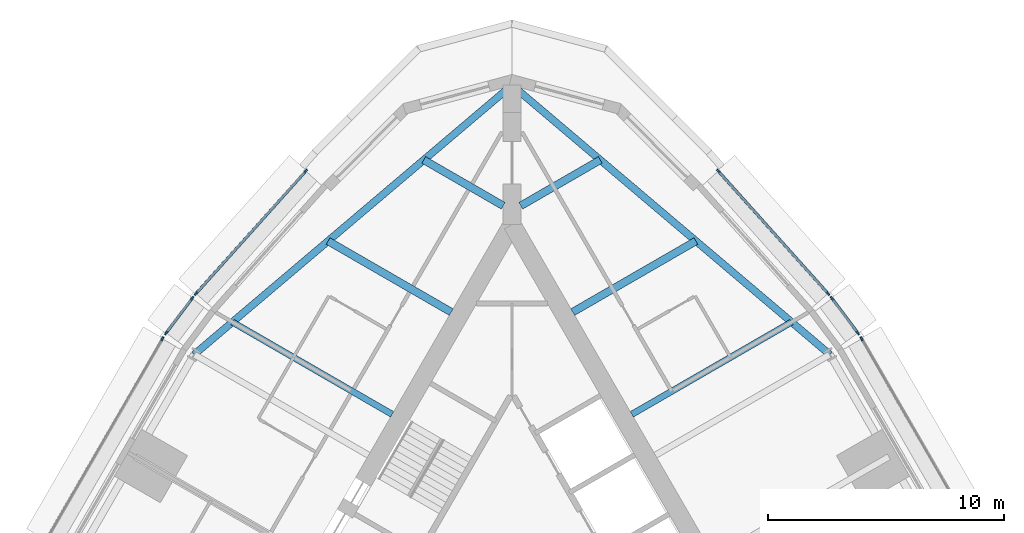
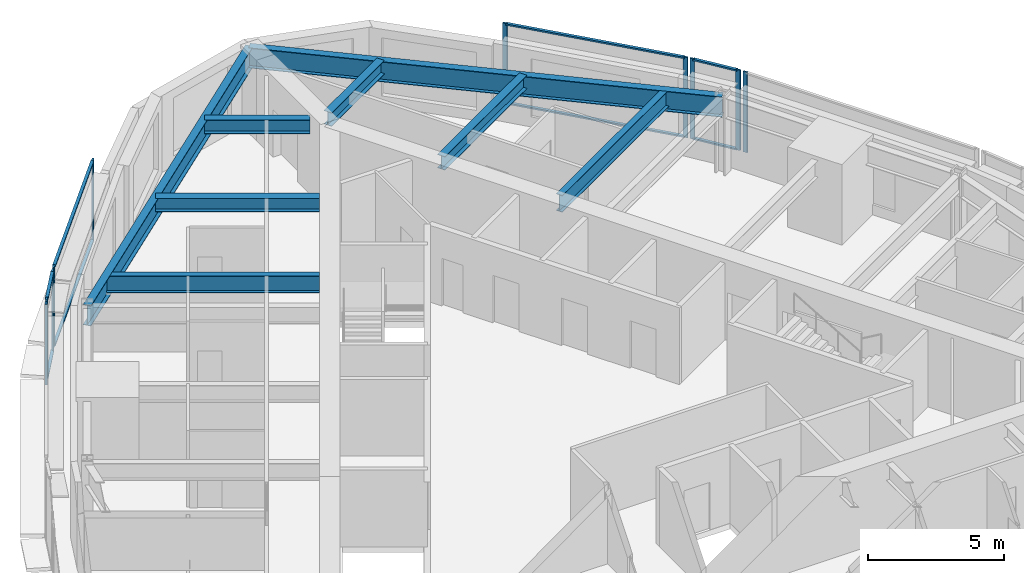
# One storey, part 5 of 13: 18 members, 8 beams, 6 elements without a shape of their own.
"""IFC4 building model written with IfcOpenShell, lengths in metres."""

from ifc_helpers import new_model, si_unit, direction, frame, origin, origin_2d, place, context, subcontext, project, spatial, rectangle, i_section, extrude, material, material_profile, profile_set, type_object, element, aggregate, save


model = new_model("IFC4")

# Units and contexts
model_context = context("Model", 3, precision=1e-05, world=origin(), true_north=direction((0.0, 1.0)))
body_context = subcontext(model_context, "Body", "Model", "MODEL_VIEW")
ifc_project = project(units=[si_unit("LENGTHUNIT", "METRE"), si_unit("AREAUNIT", "SQUARE_METRE"), si_unit("VOLUMEUNIT", "CUBIC_METRE"), si_unit("PLANEANGLEUNIT", "RADIAN"), si_unit("MASSUNIT", "GRAM", prefix="KILO")], contexts=[model_context])

# Site, building, storey
site_placement = place(None, origin())
site = spatial("IfcSite", under=ifc_project, at=site_placement, CompositionType="ELEMENT")
building_placement = place(site_placement, origin())
building = spatial("IfcBuilding", under=site, at=building_placement, Name="Trikona Tower", CompositionType="ELEMENT")
storey_placement = place(building_placement, frame((0.0, 0.0, 239.300048828125)))
storey = spatial("IfcBuildingStorey", under=building, at=storey_placement, Name="L63", CompositionType="ELEMENT", Elevation=239.300048828125)

# Curtain wall, member
ifc_material_1 = material(Name="Aluminium curtain wall system", Category="aluminium")
curtain_wall_type = type_object("IfcCurtainWallType", Name="Curtain wall DS3", PredefinedType="NOTDEFINED", material=ifc_material_1)
curtain_wall_1_placement = place(storey_placement, origin())
curtain_wall_1 = element("IfcCurtainWall", 1, at=curtain_wall_1_placement, inside=storey, type_object=curtain_wall_type, Name="Curtain wall DS3 L63", PredefinedType="NOTDEFINED")
ifc_material_2 = material(Name="Aluminium mullion, pale anodised", Category="aluminium")
ifc_material_profile_1 = material_profile(ifc_material_2, rectangle(XDim=0.070068359375, YDim=0.179931640625, at=origin_2d()), Name="MUL-DS3")
ifc_profile_set_1 = profile_set([ifc_material_profile_1], Name="Aluminium mullion, pale anodised")
member_type_1 = type_object("IfcMemberType", Name="Mullion DS3 70x180", PredefinedType="MULLION", material=ifc_profile_set_1)
member_1_placement = place(storey_placement, frame((14.807861328125, 14.213134765625, 0.0), z_axis=(0.0, 0.0, 1.0), x_axis=(-0.866024619633, -0.500001358187, 0.0)))
member_1 = element("IfcMember", 2, at=member_1_placement, type_object=member_type_1, Name="CW-DS3 mullion 2", PredefinedType="MULLION", context=body_context, shape_type="SweptSolid", body=[
    extrude(rectangle(XDim=0.070068359375, YDim=0.179931640625, at=origin_2d()), origin(), (0.0, 0.0, 1.0), 3.599853515625),
])
aggregate(curtain_wall_1, [member_1])

# Curtain wall, members
curtain_wall_2_placement = place(storey_placement, origin())
curtain_wall_2 = element("IfcCurtainWall", 3, at=curtain_wall_2_placement, inside=storey, type_object=curtain_wall_type, Name="Curtain wall DS3 L63", PredefinedType="NOTDEFINED")
member_2_placement = place(storey_placement, frame((14.644287109375, 14.461181640625, 0.0), z_axis=(0.0, 0.0, 1.0), x_axis=(-0.800259657055, -0.599653634435, 0.0)))
member_2 = element("IfcMember", 4, at=member_2_placement, type_object=member_type_1, Name="CW-DS3 mullion 1", PredefinedType="MULLION", context=body_context, shape_type="SweptSolid", body=[
    extrude(rectangle(XDim=0.070068359375, YDim=0.179931640625, at=origin_2d()), origin(), (0.0, 0.0, 1.0), 3.599853515625),
])
member_3_placement = place(storey_placement, frame((13.55029296875, 15.9208984375, 0.0), z_axis=(0.0, 0.0, 1.0), x_axis=(-0.800259657055, -0.599653634435, 0.0)))
member_3 = element("IfcMember", 5, at=member_3_placement, type_object=member_type_1, Name="CW-DS3 mullion 2", PredefinedType="MULLION", context=body_context, shape_type="SweptSolid", body=[
    extrude(rectangle(XDim=0.070068359375, YDim=0.179931640625, at=origin_2d()), origin(), (0.0, 0.0, 1.0), 3.599853515625),
])

curtain_wall_3_placement = place(storey_placement, origin())
curtain_wall_3 = element("IfcCurtainWall", 6, at=curtain_wall_3_placement, inside=storey, type_object=curtain_wall_type, Name="Curtain wall DS3 L63", PredefinedType="NOTDEFINED")
member_4_placement = place(storey_placement, frame((13.380126953125, 16.128662109375, 0.0), z_axis=(0.0, 0.0, 1.0), x_axis=(-0.744771436797, -0.667319643748, 0.0)))
member_4 = element("IfcMember", 7, at=member_4_placement, type_object=member_type_1, Name="CW-DS3 mullion 1", PredefinedType="MULLION", context=body_context, shape_type="SweptSolid", body=[
    extrude(rectangle(XDim=0.070068359375, YDim=0.179931640625, at=origin_2d()), origin(), (0.0, 0.0, 1.0), 3.599853515625),
])
member_5_placement = place(storey_placement, frame((8.733642578125, 21.314453125, 0.0), z_axis=(0.0, 0.0, 1.0), x_axis=(-0.744771436797, -0.667319643748, 0.0)))
member_5 = element("IfcMember", 8, at=member_5_placement, type_object=member_type_1, Name="CW-DS3 mullion 2", PredefinedType="MULLION", context=body_context, shape_type="SweptSolid", body=[
    extrude(rectangle(XDim=0.070068359375, YDim=0.179931640625, at=origin_2d()), origin(), (0.0, 0.0, 1.0), 3.599853515625),
])

curtain_wall_4_placement = place(storey_placement, origin())
curtain_wall_4 = element("IfcCurtainWall", 9, at=curtain_wall_4_placement, inside=storey, type_object=curtain_wall_type, Name="Curtain wall DS3 L63", PredefinedType="NOTDEFINED")
member_6_placement = place(storey_placement, frame((-8.733642578125, 21.314453125, 0.0), z_axis=(0.0, 0.0, 1.0), x_axis=(0.744771436797, -0.667319643748, 0.0)))
member_6 = element("IfcMember", 10, at=member_6_placement, type_object=member_type_1, Name="CW-DS3 mullion 1", PredefinedType="MULLION", context=body_context, shape_type="SweptSolid", body=[
    extrude(rectangle(XDim=0.070068359375, YDim=0.179931640625, at=origin_2d()), origin(), (0.0, 0.0, 1.0), 3.599853515625),
])
member_7_placement = place(storey_placement, frame((-13.380126953125, 16.128662109375, 0.0), z_axis=(0.0, 0.0, 1.0), x_axis=(0.744771436797, -0.667319643748, 0.0)))
member_7 = element("IfcMember", 11, at=member_7_placement, type_object=member_type_1, Name="CW-DS3 mullion 2", PredefinedType="MULLION", context=body_context, shape_type="SweptSolid", body=[
    extrude(rectangle(XDim=0.070068359375, YDim=0.179931640625, at=origin_2d()), origin(), (0.0, 0.0, 1.0), 3.599853515625),
])

curtain_wall_5_placement = place(storey_placement, origin())
curtain_wall_5 = element("IfcCurtainWall", 12, at=curtain_wall_5_placement, inside=storey, type_object=curtain_wall_type, Name="Curtain wall DS3 L63", PredefinedType="NOTDEFINED")
member_8_placement = place(storey_placement, frame((-13.55029296875, 15.9208984375, 0.0), z_axis=(0.0, 0.0, 1.0), x_axis=(0.800259657055, -0.599653634435, 0.0)))
member_8 = element("IfcMember", 13, at=member_8_placement, type_object=member_type_1, Name="CW-DS3 mullion 1", PredefinedType="MULLION", context=body_context, shape_type="SweptSolid", body=[
    extrude(rectangle(XDim=0.070068359375, YDim=0.179931640625, at=origin_2d()), origin(), (0.0, 0.0, 1.0), 3.599853515625),
])
member_9_placement = place(storey_placement, frame((-14.644287109375, 14.461181640625, 0.0), z_axis=(0.0, 0.0, 1.0), x_axis=(0.800259657055, -0.599653634435, 0.0)))
member_9 = element("IfcMember", 14, at=member_9_placement, type_object=member_type_1, Name="CW-DS3 mullion 2", PredefinedType="MULLION", context=body_context, shape_type="SweptSolid", body=[
    extrude(rectangle(XDim=0.070068359375, YDim=0.179931640625, at=origin_2d()), origin(), (0.0, 0.0, 1.0), 3.599853515625),
])

# Curtain wall, member
curtain_wall_6_placement = place(storey_placement, origin())
curtain_wall_6 = element("IfcCurtainWall", 15, at=curtain_wall_6_placement, inside=storey, type_object=curtain_wall_type, Name="Curtain wall DS3 L63", PredefinedType="NOTDEFINED")
member_10_placement = place(storey_placement, frame((-14.807861328125, 14.213134765625, 0.0), z_axis=(0.0, 0.0, 1.0), x_axis=(0.866024619633, -0.500001358187, 0.0)))
member_10 = element("IfcMember", 16, at=member_10_placement, type_object=member_type_1, Name="CW-DS3 mullion 1", PredefinedType="MULLION", context=body_context, shape_type="SweptSolid", body=[
    extrude(rectangle(XDim=0.070068359375, YDim=0.179931640625, at=origin_2d()), origin(), (0.0, 0.0, 1.0), 3.599853515625),
])
aggregate(curtain_wall_6, [member_10])

# Beams
ifc_material_3 = material(Name="Steel ASTM A992 Grade 50", Category="steel")
ifc_material_profile_2 = material_profile(ifc_material_3, i_section(OverallWidth=0.3251953125, OverallDepth=0.612060546875, WebThickness=0.0126953125, FlangeThickness=0.01904296875, at=origin_2d()), Name="W24X104")
ifc_profile_set_2 = profile_set([ifc_material_profile_2], Name="Steel ASTM A992 Grade 50")
beam_type_1 = type_object("IfcBeamType", Name="Steel beam W24x104 (wedge upper)", PredefinedType="BEAM", material=ifc_profile_set_2)
beam_1_placement = place(storey_placement, frame((2.57470703125, 15.343017578125, 3.12890625), z_axis=(0.866030935233, 0.499990419128, 0.0), x_axis=(-0.499990419128, 0.866030935233, 0.0)))
element("IfcBeam", 17, at=beam_1_placement, inside=storey, type_object=beam_type_1, Name="Floor beam L64 F2 u12", PredefinedType="BEAM", context=body_context, shape_type="SweptSolid", body=[
    extrude(i_section(OverallWidth=0.3251953125, OverallDepth=0.612060546875, WebThickness=0.0126953125, FlangeThickness=0.01904296875, at=origin_2d()), origin(), (0.0, 0.0, 1.0), 6.02001953125),
])
for number, where, z_axis, x_axis, name in (
    (18, (0.375, 19.846435546875, 3.12890625), (0.866024273614, 0.500001957507, 0.0), (-0.500001957507, 0.866024273614, 0.0), "Floor beam L64 F2 u17"),
    (19, (-0.375, 19.846435546875, 3.12890625), (-0.866024273614, 0.500001957507, 0.0), (-0.500001957507, -0.866024273614, 0.0), "Floor beam L64 F3 u-17"),
):
    element("IfcBeam", number, at=place(storey_placement, frame(where, z_axis=z_axis, x_axis=x_axis)), inside=storey, type_object=beam_type_1, Name=name, PredefinedType="BEAM", context=body_context, shape_type="SweptSolid", body=[
        extrude(i_section(OverallWidth=0.3251953125, OverallDepth=0.612060546875, WebThickness=0.0126953125, FlangeThickness=0.01904296875, at=origin_2d()), origin(), (0.0, 0.0, 1.0), 3.88134765625),
    ])
beam_2_placement = place(storey_placement, frame((-2.57470703125, 15.343017578125, 3.12890625), z_axis=(-0.866030935233, 0.499990419128, 0.0), x_axis=(-0.499990419128, -0.866030935233, 0.0)))
element("IfcBeam", 20, at=beam_2_placement, inside=storey, type_object=beam_type_1, Name="Floor beam L64 F3 u-12", PredefinedType="BEAM", context=body_context, shape_type="SweptSolid", body=[
    extrude(i_section(OverallWidth=0.3251953125, OverallDepth=0.612060546875, WebThickness=0.0126953125, FlangeThickness=0.01904296875, at=origin_2d()), origin(), (0.0, 0.0, 1.0), 6.02001953125),
])
ifc_material_4 = material(Name="Steel ASTM A992 Grade 50", Category="steel")
ifc_material_profile_3 = material_profile(ifc_material_4, i_section(OverallWidth=0.2666015625, OverallDepth=0.7568359375, WebThickness=0.013916015625, FlangeThickness=0.019287109375, at=origin_2d()), Name="W30X108")
ifc_profile_set_3 = profile_set([ifc_material_profile_3], Name="Steel ASTM A992 Grade 50")
beam_type_2 = type_object("IfcBeamType", Name="Steel beam W30x108 (radial upper)", PredefinedType="BEAM", material=ifc_profile_set_3)
for number, where, z_axis, x_axis, name in (
    (21, (5.07470703125, 11.0126953125, 3.056396484375), (0.866026865327, 0.499997468525, 0.0), (-0.499997468525, 0.866026865327, 0.0), "Floor beam L64 F2 u7"),
    (22, (-5.07470703125, 11.0126953125, 3.056396484375), (-0.866026865327, 0.499997468525, 0.0), (-0.499997468525, -0.866026865327, 0.0), "Floor beam L64 F3 u-7"),
):
    element("IfcBeam", number, at=place(storey_placement, frame(where, z_axis=z_axis, x_axis=x_axis)), inside=storey, type_object=beam_type_2, Name=name, PredefinedType="BEAM", context=body_context, shape_type="SweptSolid", body=[
        extrude(i_section(OverallWidth=0.2666015625, OverallDepth=0.7568359375, WebThickness=0.013916015625, FlangeThickness=0.019287109375, at=origin_2d()), origin(), (0.0, 0.0, 1.0), 7.8125),
    ])
ifc_material_5 = material(Name="Steel ASTM A992 Grade 50", Category="steel")
ifc_material_profile_4 = material_profile(ifc_material_5, i_section(OverallWidth=0.3046875, OverallDepth=0.911865234375, WebThickness=0.015869140625, FlangeThickness=0.02392578125, at=origin_2d()), Name="W36X150")
ifc_profile_set_4 = profile_set([ifc_material_profile_4], Name="Steel ASTM A992 Grade 50")
beam_type_3 = type_object("IfcBeamType", Name="Steel beam W36x150 (spandrel upper)", PredefinedType="SPANDREL", material=ifc_profile_set_4)
for number, where, z_axis, x_axis, name in (
    (23, (13.461181640625, 13.54541015625, 2.97900390625), (-0.762890626803, 0.646527564405, 0.0), (-0.646527564405, -0.762890626803, 0.0), "Spandrel beam L64 F2-3"),
    (24, (0.0, 24.953369140625, 2.97900390625), (-0.762890626803, -0.646527564405, 0.0), (0.646527564405, -0.762890626803, 0.0), "Spandrel beam L64 F3-1"),
):
    element("IfcBeam", number, at=place(storey_placement, frame(where, z_axis=z_axis, x_axis=x_axis)), inside=storey, type_object=beam_type_3, Name=name, PredefinedType="SPANDREL", context=body_context, shape_type="SweptSolid", body=[
        extrude(i_section(OverallWidth=0.3046875, OverallDepth=0.911865234375, WebThickness=0.015869140625, FlangeThickness=0.02392578125, at=origin_2d()), origin(), (0.0, 0.0, 1.0), 17.64501953125),
    ])

# Member
ifc_material_6 = material(Name="Aluminium transom, pale anodised", Category="aluminium")
ifc_material_profile_5 = material_profile(ifc_material_6, rectangle(XDim=0.1201171875, YDim=0.070068359375, at=origin_2d()), Name="TRN-DS3")
ifc_profile_set_5 = profile_set([ifc_material_profile_5], Name="Aluminium transom, pale anodised")
member_type_2 = type_object("IfcMemberType", Name="Transom DS3 70x120", PredefinedType="USERDEFINED", material=ifc_profile_set_5)
member_11_placement = place(storey_placement, frame((14.623291015625, 14.489013671875, 0.034912109375), z_axis=(-0.599621429645, 0.80028378786, 0.0), x_axis=(-0.80028378786, -0.599621429645, 0.0)))
member_11 = element("IfcMember", 25, at=member_11_placement, type_object=member_type_2, Name="CW-DS3 transom 1.1", ObjectType="TRANSOM", PredefinedType="USERDEFINED", context=body_context, shape_type="SweptSolid", body=[
    extrude(rectangle(XDim=0.1201171875, YDim=0.070068359375, at=origin_2d()), origin(), (0.0, 0.0, 1.0), 1.75439453125),
])

member_12_placement = place(storey_placement, frame((14.623291015625, 14.489013671875, 3.56494140625), z_axis=(-0.599621429645, 0.80028378786, 0.0), x_axis=(-0.80028378786, -0.599621429645, 0.0)))
member_12 = element("IfcMember", 26, at=member_12_placement, type_object=member_type_2, Name="CW-DS3 transom 1.2", ObjectType="TRANSOM", PredefinedType="USERDEFINED", context=body_context, shape_type="SweptSolid", body=[
    extrude(rectangle(XDim=0.1201171875, YDim=0.070068359375, at=origin_2d()), origin(), (0.0, 0.0, 1.0), 1.75439453125),
])

aggregate(curtain_wall_2, [member_2, member_3, member_11, member_12])

member_13_placement = place(storey_placement, frame((13.356689453125, 16.15478515625, 0.034912109375), z_axis=(-0.667313410703, 0.744777021595, 0.0), x_axis=(-0.744777021595, -0.667313410703, 0.0)))
member_13 = element("IfcMember", 27, at=member_13_placement, type_object=member_type_2, Name="CW-DS3 transom 1.1", ObjectType="TRANSOM", PredefinedType="USERDEFINED", context=body_context, shape_type="SweptSolid", body=[
    extrude(rectangle(XDim=0.1201171875, YDim=0.070068359375, at=origin_2d()), origin(), (0.0, 0.0, 1.0), 6.892822265625),
])

member_14_placement = place(storey_placement, frame((13.356689453125, 16.15478515625, 3.56494140625), z_axis=(-0.667313410703, 0.744777021595, 0.0), x_axis=(-0.744777021595, -0.667313410703, 0.0)))
member_14 = element("IfcMember", 28, at=member_14_placement, type_object=member_type_2, Name="CW-DS3 transom 1.2", ObjectType="TRANSOM", PredefinedType="USERDEFINED", context=body_context, shape_type="SweptSolid", body=[
    extrude(rectangle(XDim=0.1201171875, YDim=0.070068359375, at=origin_2d()), origin(), (0.0, 0.0, 1.0), 6.892822265625),
])

aggregate(curtain_wall_3, [member_4, member_5, member_13, member_14])

member_15_placement = place(storey_placement, frame((-8.757080078125, 21.288330078125, 0.034912109375), z_axis=(-0.667313410703, -0.744777021595, 0.0), x_axis=(0.744777021595, -0.667313410703, 0.0)))
member_15 = element("IfcMember", 29, at=member_15_placement, type_object=member_type_2, Name="CW-DS3 transom 1.1", ObjectType="TRANSOM", PredefinedType="USERDEFINED", context=body_context, shape_type="SweptSolid", body=[
    extrude(rectangle(XDim=0.1201171875, YDim=0.070068359375, at=origin_2d()), origin(), (0.0, 0.0, 1.0), 6.892822265625),
])

member_16_placement = place(storey_placement, frame((-8.757080078125, 21.288330078125, 3.56494140625), z_axis=(-0.667313410703, -0.744777021595, 0.0), x_axis=(0.744777021595, -0.667313410703, 0.0)))
member_16 = element("IfcMember", 30, at=member_16_placement, type_object=member_type_2, Name="CW-DS3 transom 1.2", ObjectType="TRANSOM", PredefinedType="USERDEFINED", context=body_context, shape_type="SweptSolid", body=[
    extrude(rectangle(XDim=0.1201171875, YDim=0.070068359375, at=origin_2d()), origin(), (0.0, 0.0, 1.0), 6.892822265625),
])

aggregate(curtain_wall_4, [member_6, member_7, member_15, member_16])

member_17_placement = place(storey_placement, frame((-13.5712890625, 15.89306640625, 0.034912109375), z_axis=(-0.599621429645, -0.80028378786, 0.0), x_axis=(0.80028378786, -0.599621429645, 0.0)))
member_17 = element("IfcMember", 31, at=member_17_placement, type_object=member_type_2, Name="CW-DS3 transom 1.1", ObjectType="TRANSOM", PredefinedType="USERDEFINED", context=body_context, shape_type="SweptSolid", body=[
    extrude(rectangle(XDim=0.1201171875, YDim=0.070068359375, at=origin_2d()), origin(), (0.0, 0.0, 1.0), 1.75439453125),
])

member_18_placement = place(storey_placement, frame((-13.5712890625, 15.89306640625, 3.56494140625), z_axis=(-0.599621429645, -0.80028378786, 0.0), x_axis=(0.80028378786, -0.599621429645, 0.0)))
member_18 = element("IfcMember", 32, at=member_18_placement, type_object=member_type_2, Name="CW-DS3 transom 1.2", ObjectType="TRANSOM", PredefinedType="USERDEFINED", context=body_context, shape_type="SweptSolid", body=[
    extrude(rectangle(XDim=0.1201171875, YDim=0.070068359375, at=origin_2d()), origin(), (0.0, 0.0, 1.0), 1.75439453125),
])

aggregate(curtain_wall_5, [member_8, member_9, member_17, member_18])

save(model, "model.ifc")
